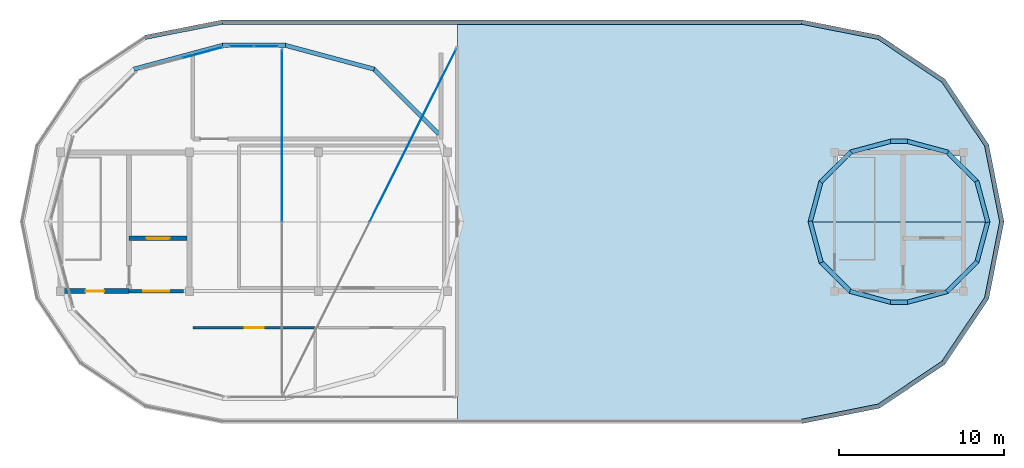
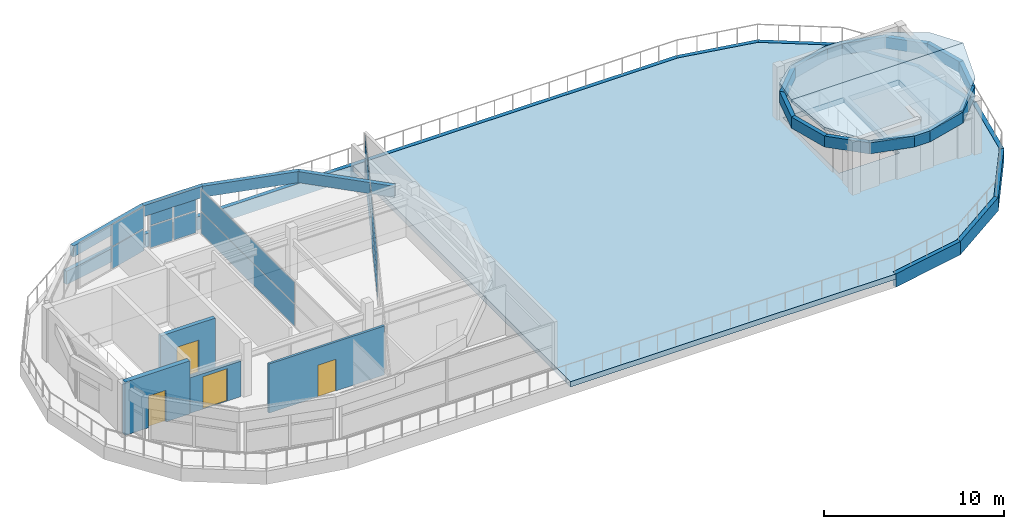
# One storey, part 13 of 15: 38 plates, 4 doors, 4 walls, 3 slabs, 4 openings, 4 elements without a shape of their own.
"""IFC4 building model written with IfcOpenShell, lengths in metres."""

from ifc_helpers import new_model, si_unit, direction, frame, frame_2d, origin, origin_2d, place, context, subcontext, project, spatial, polyline, rectangle, outline, extrude, material, layer, layer_set, type_object, element, fill, aggregate, save


model = new_model("IFC4")

# Units and contexts
model_context = context("Model", 3, precision=1e-05, world=origin(), true_north=direction((0.0, 1.0)))
body_context = subcontext(model_context, "Body", "Model", "MODEL_VIEW")
ifc_project = project(units=[si_unit("LENGTHUNIT", "METRE"), si_unit("AREAUNIT", "SQUARE_METRE"), si_unit("VOLUMEUNIT", "CUBIC_METRE"), si_unit("PLANEANGLEUNIT", "RADIAN"), si_unit("MASSUNIT", "GRAM", prefix="KILO")], contexts=[model_context])

# Site, building, storey
site_placement = place(None, origin())
site = spatial("IfcSite", under=ifc_project, at=site_placement, CompositionType="ELEMENT")
building_placement = place(site_placement, origin())
building = spatial("IfcBuilding", under=site, at=building_placement, Name="Zizhar Promenade General Hospital", CompositionType="ELEMENT")
storey_placement = place(building_placement, frame((0.0, 0.0, 43.199951171875)))
storey = spatial("IfcBuildingStorey", under=building, at=storey_placement, Name="Roof", CompositionType="ELEMENT", Elevation=43.199951171875)

# Curtain wall, plates
ifc_material_1 = material(Name="Anodised aluminium 6063-T6 and low-E glass", Category="aluminium")
ifc_layer_1 = layer(ifc_material_1, 0.159912109375)
ifc_layer_set_1 = layer_set([ifc_layer_1], Name="Anodised aluminium 6063-T6 and low-E glass")
curtain_wall_type = type_object("IfcCurtainWallType", Name="CW-WARD-ARC", PredefinedType="NOTDEFINED", material=ifc_layer_set_1)
curtain_wall_1_placement = place(storey_placement, origin())
curtain_wall_1 = element("IfcCurtainWall", 1, at=curtain_wall_1_placement, inside=storey, type_object=curtain_wall_type, Name="Rooftop Pillow Crown Glazing 02", PredefinedType="NOTDEFINED")
ifc_material_2 = material(Name="Low-E solar-control glass", Category="glass")
ifc_layer_2 = layer(ifc_material_2, 0.031982421875)
ifc_layer_set_2 = layer_set([ifc_layer_2], Name="Low-E solar-control glass")
plate_type_1 = type_object("IfcPlateType", Name="CWP-GLZ-32", PredefinedType="CURTAIN_PANEL", material=ifc_layer_set_2)
plate_1_placement = place(storey_placement, frame((68.107421875, 17.81494140625, 0.06005859375), z_axis=(0.0, 0.0, 1.0), x_axis=(0.447210174098, 0.894428901692, 0.0)))
plate_1 = element("IfcPlate", 2, at=plate_1_placement, type_object=plate_type_1, Name="CW-12 panel 2.1", PredefinedType="CURTAIN_PANEL", context=body_context, shape_type="SweptSolid", body=[
    extrude(rectangle(XDim=11.60107421875, YDim=0.031982421875, at=origin_2d()), origin(), (0.0, 0.0, 1.0), 1.4599609375),
])
plate_2_placement = place(storey_placement, frame((68.107421875, 17.81494140625, 1.580078125), z_axis=(0.0, 0.0, 1.0), x_axis=(0.447210174098, 0.894428901692, 0.0)))
plate_2 = element("IfcPlate", 3, at=plate_2_placement, type_object=plate_type_1, Name="CW-12 panel 2.2", PredefinedType="CURTAIN_PANEL", context=body_context, shape_type="SweptSolid", body=[
    extrude(rectangle(XDim=11.60107421875, YDim=0.031982421875, at=origin_2d()), origin(), (0.0, 0.0, 1.0), 1.4599609375),
])
aggregate(curtain_wall_1, [plate_1, plate_2])

curtain_wall_2_placement = place(storey_placement, origin())
curtain_wall_2 = element("IfcCurtainWall", 4, at=curtain_wall_2_placement, inside=storey, type_object=curtain_wall_type, Name="Rooftop Pillow Crown Glazing 03", PredefinedType="NOTDEFINED")
plate_3_placement = place(storey_placement, frame((60.199951171875, 17.804931640625, 0.06005859375), z_axis=(0.0, 0.0, 1.0), x_axis=(0.0, -1.0, 0.0)))
plate_3 = element("IfcPlate", 5, at=plate_3_placement, type_object=plate_type_1, Name="CW-12 panel 1.1", PredefinedType="CURTAIN_PANEL", context=body_context, shape_type="SweptSolid", body=[
    extrude(rectangle(XDim=10.35009765625, YDim=0.031982421875, at=origin_2d()), origin(), (0.0, 0.0, 1.0), 1.4599609375),
])
plate_4_placement = place(storey_placement, frame((60.199951171875, 17.804931640625, 1.580078125), z_axis=(0.0, 0.0, 1.0), x_axis=(0.0, -1.0, 0.0)))
plate_4 = element("IfcPlate", 6, at=plate_4_placement, type_object=plate_type_1, Name="CW-12 panel 1.2", PredefinedType="CURTAIN_PANEL", context=body_context, shape_type="SweptSolid", body=[
    extrude(rectangle(XDim=10.35009765625, YDim=0.031982421875, at=origin_2d()), origin(), (0.0, 0.0, 1.0), 1.4599609375),
])
aggregate(curtain_wall_2, [plate_3, plate_4])

curtain_wall_3_placement = place(storey_placement, origin())
curtain_wall_3 = element("IfcCurtainWall", 7, at=curtain_wall_3_placement, inside=storey, type_object=curtain_wall_type, Name="Rooftop Pillow Crown Glazing 04", PredefinedType="NOTDEFINED")
plate_5_placement = place(storey_placement, frame((57.7451171875, 23.199951171875, 0.06005859375), z_axis=(0.0, 0.0, 1.0), x_axis=(1.0, 0.0, 0.0)))
plate_5 = element("IfcPlate", 8, at=plate_5_placement, type_object=plate_type_1, Name="CW-12 panel 1.1", PredefinedType="CURTAIN_PANEL", context=body_context, shape_type="SweptSolid", body=[
    extrude(rectangle(XDim=1.449951171875, YDim=0.031982421875, at=origin_2d()), origin(), (0.0, 0.0, 1.0), 1.4599609375),
])
plate_6_placement = place(storey_placement, frame((57.7451171875, 23.199951171875, 1.580078125), z_axis=(0.0, 0.0, 1.0), x_axis=(1.0, 0.0, 0.0)))
plate_6 = element("IfcPlate", 9, at=plate_6_placement, type_object=plate_type_1, Name="CW-12 panel 1.2", PredefinedType="CURTAIN_PANEL", context=body_context, shape_type="SweptSolid", body=[
    extrude(rectangle(XDim=1.449951171875, YDim=0.031982421875, at=origin_2d()), origin(), (0.0, 0.0, 1.0), 1.4599609375),
])
plate_7_placement = place(storey_placement, frame((59.2548828125, 23.199951171875, 0.06005859375), z_axis=(0.0, 0.0, 1.0), x_axis=(1.0, 0.0, 0.0)))
plate_7 = element("IfcPlate", 10, at=plate_7_placement, type_object=plate_type_1, Name="CW-12 panel 2.1", PredefinedType="CURTAIN_PANEL", context=body_context, shape_type="SweptSolid", body=[
    extrude(rectangle(XDim=1.449951171875, YDim=0.031982421875, at=origin_2d()), origin(), (0.0, 0.0, 1.0), 1.4599609375),
])
plate_8_placement = place(storey_placement, frame((59.2548828125, 23.199951171875, 1.580078125), z_axis=(0.0, 0.0, 1.0), x_axis=(1.0, 0.0, 0.0)))
plate_8 = element("IfcPlate", 11, at=plate_8_placement, type_object=plate_type_1, Name="CW-12 panel 2.2", PredefinedType="CURTAIN_PANEL", context=body_context, shape_type="SweptSolid", body=[
    extrude(rectangle(XDim=1.449951171875, YDim=0.031982421875, at=origin_2d()), origin(), (0.0, 0.0, 1.0), 1.4599609375),
])
aggregate(curtain_wall_3, [plate_5, plate_6, plate_7, plate_8])

curtain_wall_4_placement = place(storey_placement, origin())
curtain_wall_4 = element("IfcCurtainWall", 12, at=curtain_wall_4_placement, inside=storey, type_object=curtain_wall_type, Name="Rooftop Pillow Crown Glazing 05", PredefinedType="NOTDEFINED")
plate_9_placement = place(storey_placement, frame((55.38330078125, 22.8203125, 0.06005859375), z_axis=(0.0, 0.0, 1.0), x_axis=(0.965927491601, 0.258812829994, 0.0)))
plate_9 = element("IfcPlate", 13, at=plate_9_placement, type_object=plate_type_1, Name="CW-12 panel 2.1", PredefinedType="CURTAIN_PANEL", context=body_context, shape_type="SweptSolid", body=[
    extrude(rectangle(XDim=2.493408203125, YDim=0.031982421875, at=origin_2d()), origin(), (0.0, 0.0, 1.0), 1.4599609375),
])
plate_10_placement = place(storey_placement, frame((55.38330078125, 22.8203125, 1.580078125), z_axis=(0.0, 0.0, 1.0), x_axis=(0.965927491601, 0.258812829994, 0.0)))
plate_10 = element("IfcPlate", 14, at=plate_10_placement, type_object=plate_type_1, Name="CW-12 panel 2.2", PredefinedType="CURTAIN_PANEL", context=body_context, shape_type="SweptSolid", body=[
    extrude(rectangle(XDim=2.493408203125, YDim=0.031982421875, at=origin_2d()), origin(), (0.0, 0.0, 1.0), 1.4599609375),
])
aggregate(curtain_wall_4, [plate_9, plate_10])

# Plates
ifc_material_3 = material(Name="Precast concrete C40/50", Category="concrete")
ifc_layer_3 = layer(ifc_material_3, 0.260009765625)
ifc_layer_set_3 = layer_set([ifc_layer_3], Name="Precast concrete C40/50")
plate_type_2 = type_object("IfcPlateType", Name="PL-PC-BAND950", PredefinedType="USERDEFINED", material=ifc_layer_set_3)
plate_11_placement = place(storey_placement, frame((0.0, 0.0, -0.89990234375)))
element("IfcPlate", 15, at=plate_11_placement, inside=storey, type_object=plate_type_2, Name="Ward Precast Slab Band Roof-01", ObjectType="FASCIA_BAND", PredefinedType="USERDEFINED", context=body_context, shape_type="SweptSolid", body=[
    extrude(outline(polyline([(91.64990234375, 0.39990234375), (96.318603515625, 1.32861328125), (96.26806640625, 1.583740234375), (91.599365234375, 0.655029296875), (91.64990234375, 0.39990234375)])), origin(), (0.0, 0.0, 1.0), 0.89990234375),
])
plate_12_placement = place(storey_placement, frame((0.0, 0.0, -0.89990234375)))
element("IfcPlate", 16, at=plate_12_placement, inside=storey, type_object=plate_type_2, Name="Ward Precast Slab Band Roof-02", ObjectType="FASCIA_BAND", PredefinedType="USERDEFINED", context=body_context, shape_type="SweptSolid", body=[
    extrude(outline(polyline([(96.318603515625, 1.32861328125), (100.276611328125, 3.973388671875), (100.13232421875, 4.189453125), (96.17431640625, 1.544921875), (96.318603515625, 1.32861328125)])), origin(), (0.0, 0.0, 1.0), 0.89990234375),
])
plate_13_placement = place(storey_placement, frame((0.0, 0.0, -0.89990234375)))
element("IfcPlate", 17, at=plate_13_placement, inside=storey, type_object=plate_type_2, Name="Ward Precast Slab Band Roof-03", ObjectType="FASCIA_BAND", PredefinedType="USERDEFINED", context=body_context, shape_type="SweptSolid", body=[
    extrude(outline(polyline([(100.276611328125, 3.973388671875), (102.92138671875, 7.931396484375), (102.705078125, 8.07568359375), (100.060546875, 4.11767578125), (100.276611328125, 3.973388671875)])), origin(), (0.0, 0.0, 1.0), 0.89990234375),
])
plate_14_placement = place(storey_placement, frame((0.0, 0.0, -0.89990234375)))
element("IfcPlate", 18, at=plate_14_placement, inside=storey, type_object=plate_type_2, Name="Ward Precast Slab Band Roof-04", ObjectType="FASCIA_BAND", PredefinedType="USERDEFINED", context=body_context, shape_type="SweptSolid", body=[
    extrude(outline(polyline([(102.92138671875, 7.931396484375), (103.85009765625, 12.60009765625), (103.594970703125, 12.650634765625), (102.666259765625, 7.98193359375), (102.92138671875, 7.931396484375)])), origin(), (0.0, 0.0, 1.0), 0.89990234375),
])
plate_15_placement = place(storey_placement, frame((0.0, 0.0, -0.89990234375)))
element("IfcPlate", 19, at=plate_15_placement, inside=storey, type_object=plate_type_2, Name="Ward Precast Slab Band Roof-05", ObjectType="FASCIA_BAND", PredefinedType="USERDEFINED", context=body_context, shape_type="SweptSolid", body=[
    extrude(outline(polyline([(103.85009765625, 12.60009765625), (102.92138671875, 17.268798828125), (102.666259765625, 17.218017578125), (103.594970703125, 12.54931640625), (103.85009765625, 12.60009765625)])), origin(), (0.0, 0.0, 1.0), 0.89990234375),
])
plate_16_placement = place(storey_placement, frame((0.0, 0.0, -0.89990234375)))
element("IfcPlate", 20, at=plate_16_placement, inside=storey, type_object=plate_type_2, Name="Ward Precast Slab Band Roof-06", ObjectType="FASCIA_BAND", PredefinedType="USERDEFINED", context=body_context, shape_type="SweptSolid", body=[
    extrude(outline(polyline([(102.92138671875, 17.268798828125), (100.276611328125, 21.226806640625), (100.060546875, 21.082275390625), (102.705078125, 17.124267578125), (102.92138671875, 17.268798828125)])), origin(), (0.0, 0.0, 1.0), 0.89990234375),
])
plate_17_placement = place(storey_placement, frame((0.0, 0.0, -0.89990234375)))
element("IfcPlate", 21, at=plate_17_placement, inside=storey, type_object=plate_type_2, Name="Ward Precast Slab Band Roof-07", ObjectType="FASCIA_BAND", PredefinedType="USERDEFINED", context=body_context, shape_type="SweptSolid", body=[
    extrude(outline(polyline([(100.276611328125, 21.226806640625), (96.318603515625, 23.871337890625), (96.17431640625, 23.655029296875), (100.13232421875, 21.010498046875), (100.276611328125, 21.226806640625)])), origin(), (0.0, 0.0, 1.0), 0.89990234375),
])
plate_18_placement = place(storey_placement, frame((0.0, 0.0, -0.89990234375)))
element("IfcPlate", 22, at=plate_18_placement, inside=storey, type_object=plate_type_2, Name="Ward Precast Slab Band Roof-08", ObjectType="FASCIA_BAND", PredefinedType="USERDEFINED", context=body_context, shape_type="SweptSolid", body=[
    extrude(outline(polyline([(96.318603515625, 23.871337890625), (91.64990234375, 24.800048828125), (91.599365234375, 24.544921875), (96.26806640625, 23.6162109375), (96.318603515625, 23.871337890625)])), origin(), (0.0, 0.0, 1.0), 0.89990234375),
])
plate_19_placement = place(storey_placement, frame((0.0, 0.0, -0.89990234375)))
element("IfcPlate", 23, at=plate_19_placement, inside=storey, type_object=plate_type_2, Name="Ward Precast Slab Band Roof-09", ObjectType="FASCIA_BAND", PredefinedType="USERDEFINED", context=body_context, shape_type="SweptSolid", body=[
    extrude(outline(polyline([(91.64990234375, 24.800048828125), (56.550048828125, 24.800048828125), (56.550048828125, 24.5400390625), (91.64990234375, 24.5400390625), (91.64990234375, 24.800048828125)])), origin(), (0.0, 0.0, 1.0), 0.89990234375),
])
plate_20_placement = place(storey_placement, frame((0.0, 0.0, -0.89990234375)))
element("IfcPlate", 24, at=plate_20_placement, inside=storey, type_object=plate_type_2, Name="Ward Precast Slab Band Roof-10", ObjectType="FASCIA_BAND", PredefinedType="USERDEFINED", context=body_context, shape_type="SweptSolid", body=[
    extrude(outline(polyline([(56.550048828125, 24.800048828125), (51.88134765625, 23.871337890625), (51.931884765625, 23.6162109375), (56.6005859375, 24.544921875), (56.550048828125, 24.800048828125)])), origin(), (0.0, 0.0, 1.0), 0.89990234375),
])
plate_21_placement = place(storey_placement, frame((0.0, 0.0, 2.35009765625)))
element("IfcPlate", 25, at=plate_21_placement, inside=storey, type_object=plate_type_2, Name="Rooftop CrownW Fascia Band 05", ObjectType="FASCIA_BAND", PredefinedType="USERDEFINED", context=body_context, shape_type="SweptSolid", body=[
    extrude(outline(polyline([(69.753173828125, 18.0), (65.800048828125, 21.953125), (65.6162109375, 21.769287109375), (69.5693359375, 17.816162109375), (69.753173828125, 18.0)])), origin(), (0.0, 0.0, 1.0), 0.75),
])
plate_22_placement = place(storey_placement, frame((0.0, 0.0, 2.35009765625)))
element("IfcPlate", 26, at=plate_22_placement, inside=storey, type_object=plate_type_2, Name="Rooftop CrownW Fascia Band 06", ObjectType="FASCIA_BAND", PredefinedType="USERDEFINED", context=body_context, shape_type="SweptSolid", body=[
    extrude(outline(polyline([(65.800048828125, 21.953125), (60.39990234375, 23.39990234375), (60.332763671875, 23.14892578125), (65.732666015625, 21.701904296875), (65.800048828125, 21.953125)])), origin(), (0.0, 0.0, 1.0), 0.75),
])
plate_23_placement = place(storey_placement, frame((0.0, 0.0, 2.35009765625)))
element("IfcPlate", 27, at=plate_23_placement, inside=storey, type_object=plate_type_2, Name="Rooftop CrownW Fascia Band 07", ObjectType="FASCIA_BAND", PredefinedType="USERDEFINED", context=body_context, shape_type="SweptSolid", body=[
    extrude(outline(polyline([(60.39990234375, 23.39990234375), (56.60009765625, 23.39990234375), (56.60009765625, 23.139892578125), (60.39990234375, 23.139892578125), (60.39990234375, 23.39990234375)])), origin(), (0.0, 0.0, 1.0), 0.75),
])
plate_24_placement = place(storey_placement, frame((0.0, 0.0, 2.35009765625)))
element("IfcPlate", 28, at=plate_24_placement, inside=storey, type_object=plate_type_2, Name="Rooftop CrownW Fascia Band 08", ObjectType="FASCIA_BAND", PredefinedType="USERDEFINED", context=body_context, shape_type="SweptSolid", body=[
    extrude(outline(polyline([(56.60009765625, 23.39990234375), (51.199951171875, 21.953125), (51.267333984375, 21.701904296875), (56.667236328125, 23.14892578125), (56.60009765625, 23.39990234375)])), origin(), (0.0, 0.0, 1.0), 0.75),
])
plate_25_placement = place(storey_placement, frame((0.0, 0.0, 2.35009765625)))
element("IfcPlate", 29, at=plate_25_placement, inside=storey, type_object=plate_type_2, Name="Rooftop CrownE Fascia Band 01", ObjectType="FASCIA_BAND", PredefinedType="USERDEFINED", context=body_context, shape_type="SweptSolid", body=[
    extrude(outline(polyline([(98.0, 7.60009765625), (100.5, 8.27001953125), (100.4326171875, 8.52099609375), (97.9326171875, 7.85107421875), (98.0, 7.60009765625)])), origin(), (0.0, 0.0, 1.0), 0.75),
])
plate_26_placement = place(storey_placement, frame((0.0, 0.0, 2.35009765625)))
element("IfcPlate", 30, at=plate_26_placement, inside=storey, type_object=plate_type_2, Name="Rooftop CrownE Fascia Band 02", ObjectType="FASCIA_BAND", PredefinedType="USERDEFINED", context=body_context, shape_type="SweptSolid", body=[
    extrude(outline(polyline([(100.5, 8.27001953125), (102.330078125, 10.10009765625), (102.146240234375, 10.28369140625), (100.316162109375, 8.45361328125), (100.5, 8.27001953125)])), origin(), (0.0, 0.0, 1.0), 0.75),
])
plate_27_placement = place(storey_placement, frame((0.0, 0.0, 2.35009765625)))
element("IfcPlate", 31, at=plate_27_placement, inside=storey, type_object=plate_type_2, Name="Rooftop CrownE Fascia Band 03", ObjectType="FASCIA_BAND", PredefinedType="USERDEFINED", context=body_context, shape_type="SweptSolid", body=[
    extrude(outline(polyline([(102.330078125, 10.10009765625), (103.0, 12.60009765625), (102.748779296875, 12.667236328125), (102.0791015625, 10.167236328125), (102.330078125, 10.10009765625)])), origin(), (0.0, 0.0, 1.0), 0.75),
])
plate_28_placement = place(storey_placement, frame((0.0, 0.0, 2.35009765625)))
element("IfcPlate", 32, at=plate_28_placement, inside=storey, type_object=plate_type_2, Name="Rooftop CrownE Fascia Band 04", ObjectType="FASCIA_BAND", PredefinedType="USERDEFINED", context=body_context, shape_type="SweptSolid", body=[
    extrude(outline(polyline([(103.0, 12.60009765625), (102.330078125, 15.10009765625), (102.0791015625, 15.03271484375), (102.748779296875, 12.53271484375), (103.0, 12.60009765625)])), origin(), (0.0, 0.0, 1.0), 0.75),
])
plate_29_placement = place(storey_placement, frame((0.0, 0.0, 2.35009765625)))
element("IfcPlate", 33, at=plate_29_placement, inside=storey, type_object=plate_type_2, Name="Rooftop CrownE Fascia Band 05", ObjectType="FASCIA_BAND", PredefinedType="USERDEFINED", context=body_context, shape_type="SweptSolid", body=[
    extrude(outline(polyline([(102.330078125, 15.10009765625), (100.5, 16.93017578125), (100.316162109375, 16.746337890625), (102.146240234375, 14.916259765625), (102.330078125, 15.10009765625)])), origin(), (0.0, 0.0, 1.0), 0.75),
])
plate_30_placement = place(storey_placement, frame((0.0, 0.0, 2.35009765625)))
element("IfcPlate", 34, at=plate_30_placement, inside=storey, type_object=plate_type_2, Name="Rooftop CrownE Fascia Band 06", ObjectType="FASCIA_BAND", PredefinedType="USERDEFINED", context=body_context, shape_type="SweptSolid", body=[
    extrude(outline(polyline([(100.5, 16.93017578125), (98.0, 17.60009765625), (97.9326171875, 17.348876953125), (100.4326171875, 16.678955078125), (100.5, 16.93017578125)])), origin(), (0.0, 0.0, 1.0), 0.75),
])
plate_31_placement = place(storey_placement, frame((0.0, 0.0, 2.35009765625)))
element("IfcPlate", 35, at=plate_31_placement, inside=storey, type_object=plate_type_2, Name="Rooftop CrownE Fascia Band 07", ObjectType="FASCIA_BAND", PredefinedType="USERDEFINED", context=body_context, shape_type="SweptSolid", body=[
    extrude(outline(polyline([(98.0, 17.60009765625), (97.0, 17.60009765625), (97.0, 17.340087890625), (98.0, 17.340087890625), (98.0, 17.60009765625)])), origin(), (0.0, 0.0, 1.0), 0.75),
])
plate_32_placement = place(storey_placement, frame((0.0, 0.0, 2.35009765625)))
element("IfcPlate", 36, at=plate_32_placement, inside=storey, type_object=plate_type_2, Name="Rooftop CrownE Fascia Band 08", ObjectType="FASCIA_BAND", PredefinedType="USERDEFINED", context=body_context, shape_type="SweptSolid", body=[
    extrude(outline(polyline([(97.0, 17.60009765625), (94.5, 16.93017578125), (94.5673828125, 16.678955078125), (97.0673828125, 17.348876953125), (97.0, 17.60009765625)])), origin(), (0.0, 0.0, 1.0), 0.75),
])
plate_33_placement = place(storey_placement, frame((0.0, 0.0, 2.35009765625)))
element("IfcPlate", 37, at=plate_33_placement, inside=storey, type_object=plate_type_2, Name="Rooftop CrownE Fascia Band 09", ObjectType="FASCIA_BAND", PredefinedType="USERDEFINED", context=body_context, shape_type="SweptSolid", body=[
    extrude(outline(polyline([(94.5, 16.93017578125), (92.669921875, 15.10009765625), (92.853759765625, 14.916259765625), (94.683837890625, 16.746337890625), (94.5, 16.93017578125)])), origin(), (0.0, 0.0, 1.0), 0.75),
])
plate_34_placement = place(storey_placement, frame((0.0, 0.0, 2.35009765625)))
element("IfcPlate", 38, at=plate_34_placement, inside=storey, type_object=plate_type_2, Name="Rooftop CrownE Fascia Band 10", ObjectType="FASCIA_BAND", PredefinedType="USERDEFINED", context=body_context, shape_type="SweptSolid", body=[
    extrude(outline(polyline([(92.669921875, 15.10009765625), (92.0, 12.60009765625), (92.251220703125, 12.53271484375), (92.9208984375, 15.03271484375), (92.669921875, 15.10009765625)])), origin(), (0.0, 0.0, 1.0), 0.75),
])
plate_35_placement = place(storey_placement, frame((0.0, 0.0, 2.35009765625)))
element("IfcPlate", 39, at=plate_35_placement, inside=storey, type_object=plate_type_2, Name="Rooftop CrownE Fascia Band 11", ObjectType="FASCIA_BAND", PredefinedType="USERDEFINED", context=body_context, shape_type="SweptSolid", body=[
    extrude(outline(polyline([(92.0, 12.60009765625), (92.669921875, 10.10009765625), (92.9208984375, 10.167236328125), (92.251220703125, 12.667236328125), (92.0, 12.60009765625)])), origin(), (0.0, 0.0, 1.0), 0.75),
])
plate_36_placement = place(storey_placement, frame((0.0, 0.0, 2.35009765625)))
element("IfcPlate", 40, at=plate_36_placement, inside=storey, type_object=plate_type_2, Name="Rooftop CrownE Fascia Band 12", ObjectType="FASCIA_BAND", PredefinedType="USERDEFINED", context=body_context, shape_type="SweptSolid", body=[
    extrude(outline(polyline([(92.669921875, 10.10009765625), (94.5, 8.27001953125), (94.683837890625, 8.45361328125), (92.853759765625, 10.28369140625), (92.669921875, 10.10009765625)])), origin(), (0.0, 0.0, 1.0), 0.75),
])
plate_37_placement = place(storey_placement, frame((0.0, 0.0, 2.35009765625)))
element("IfcPlate", 41, at=plate_37_placement, inside=storey, type_object=plate_type_2, Name="Rooftop CrownE Fascia Band 13", ObjectType="FASCIA_BAND", PredefinedType="USERDEFINED", context=body_context, shape_type="SweptSolid", body=[
    extrude(outline(polyline([(94.5, 8.27001953125), (97.0, 7.60009765625), (97.0673828125, 7.85107421875), (94.5673828125, 8.52099609375), (94.5, 8.27001953125)])), origin(), (0.0, 0.0, 1.0), 0.75),
])
plate_38_placement = place(storey_placement, frame((0.0, 0.0, 2.35009765625)))
element("IfcPlate", 42, at=plate_38_placement, inside=storey, type_object=plate_type_2, Name="Rooftop CrownE Fascia Band 14", ObjectType="FASCIA_BAND", PredefinedType="USERDEFINED", context=body_context, shape_type="SweptSolid", body=[
    extrude(outline(polyline([(97.0, 7.60009765625), (98.0, 7.60009765625), (98.0, 7.860107421875), (97.0, 7.860107421875), (97.0, 7.60009765625)])), origin(), (0.0, 0.0, 1.0), 0.75),
])

# Slabs
ifc_material_4 = material(Name="Concrete C40/50", Category="concrete")
ifc_layer_4 = layer(ifc_material_4, 0.360107421875)
ifc_layer_set_4 = layer_set([ifc_layer_4], Name="Concrete C40/50")
slab_type_1 = type_object("IfcSlabType", Name="SLB-HELI-360", PredefinedType="ROOF", material=ifc_layer_set_4)
slab_1_placement = place(storey_placement, frame((0.0, 0.0, -0.35986328125)))
element("IfcSlab", 43, at=slab_1_placement, inside=storey, type_object=slab_type_1, Name="Rooftop Emergency Helipad and East Deck Slab", PredefinedType="ROOF", context=body_context, shape_type="SweptSolid", body=[
    extrude(outline(polyline([(70.800048828125, 24.800048828125), (70.800048828125, 0.39990234375), (91.64990234375, 0.39990234375), (96.318603515625, 1.32861328125), (100.276611328125, 3.973388671875), (102.92138671875, 7.931396484375), (103.85009765625, 12.60009765625), (102.92138671875, 17.268798828125), (100.276611328125, 21.226806640625), (96.318603515625, 23.871337890625), (91.64990234375, 24.800048828125), (70.800048828125, 24.800048828125)]), holes=[polyline([(93.780029296875, 10.429931640625), (93.780029296875, 16.6201171875), (97.679931640625, 16.6201171875), (97.679931640625, 10.429931640625), (93.780029296875, 10.429931640625)]), polyline([(97.949951171875, 11.6201171875), (97.949951171875, 16.580078125), (101.179931640625, 16.580078125), (101.179931640625, 11.6201171875), (97.949951171875, 11.6201171875)])]), origin(), (0.0, 0.0, 1.0), 0.35986328125),
])
ifc_material_5 = material(Name="Concrete C35/45", Category="concrete")
ifc_layer_5 = layer(ifc_material_5, 0.199951171875)
ifc_layer_set_5 = layer_set([ifc_layer_5], Name="Concrete C35/45")
slab_type_2 = type_object("IfcSlabType", Name="SLB-SAW-200", PredefinedType="ROOF", material=ifc_layer_set_5)
slab_2_placement = place(storey_placement, frame((102.330078125, 10.10009765625, 3.68994140625), z_axis=(0.0, -0.229696800031, 0.973262236016), x_axis=(-0.697462604265, -0.697460332041, -0.164605591885)))
element("IfcSlab", 44, at=slab_2_placement, inside=storey, type_object=slab_type_2, Name="East Core C5 Vaulted Crown Shell (S)", PredefinedType="ROOF", context=body_context, shape_type="SweptSolid", body=[
    extrude(outline(polyline([(0.0, 0.0), (2.623908599267943, -2.7755575615628914e-17), (4.8608099754275855, -1.3114947853959629), (5.558272579693062, -2.0281159654145404), (6.808684224860807, -4.299727080111465), (6.737597735736427, -6.922672571038835), (5.364060594724148, -9.194322798267091), (-2.3080280521961027, -1.3114898180627412), (0.0, 0.0)])), origin(), (0.0, 0.0, -1.0), 0.199951171875),
])
slab_3_placement = place(storey_placement, frame((92.669921875, 15.10009765625, 3.68994140625), z_axis=(0.0, 0.229702212256, 0.973260958677), x_axis=(0.697507867582, 0.697416538685, -0.164599350638)))
element("IfcSlab", 45, at=slab_3_placement, inside=storey, type_object=slab_type_2, Name="East Core C5 Vaulted Crown Shell (N)", PredefinedType="ROOF", context=body_context, shape_type="SweptSolid", body=[
    extrude(outline(polyline([(0.0, 0.0), (2.6237383261997342, 1.6653345369377348e-16), (4.860892804370993, -1.3111877549417992), (5.55840067195271, -2.0277648789567975), (6.808785531690037, -4.299462744089989), (6.738034986443696, -6.92224698316051), (5.364641334592948, -9.193983964284973), (-2.307945208805939, -1.3116356001199936), (0.0, 0.0)])), origin(), (0.0, 0.0, -1.0), 0.199951171875),
])

# Wall, opening, door
ifc_material_6 = material(Name="Clinical consultation partition")
ifc_layer_6 = layer(ifc_material_6, 0.14501953125)
ifc_layer_set_6 = layer_set([ifc_layer_6], Name="Clinical consultation partition")
wall_type_1 = type_object("IfcWallType", Name="IW-CLN-145", PredefinedType="PARTITIONING", material=ifc_layer_set_6)
wall_1_placement = place(storey_placement, frame((54.800048828125, 6.199951171875, 0.0), z_axis=(0.0, 0.0, 1.0), x_axis=(1.0, 0.0, 0.0)))
wall_1 = element("IfcWall", 46, at=wall_1_placement, inside=storey, type_object=wall_type_1, Name="Helipad Aviation Dispatch and Telemetry Clinic N Partition", PredefinedType="PARTITIONING", context=body_context, shape_type="SweptSolid", body=[
    extrude(rectangle(XDim=7.39990234375, YDim=0.14501953125, at=frame_2d((3.699951171875, 0.0))), origin(), (0.0, 0.0, 1.0), 3.320068359375),
])
opening_1_placement = place(wall_1_placement, frame((3.125, 0.0, 0.0)))
opening_1 = element("IfcOpeningElement", 47, at=opening_1_placement, cuts=wall_1, Name="Opening D-15", PredefinedType="OPENING", context=body_context, shape_type="SweptSolid", body=[
    extrude(rectangle(XDim=1.14990234375, YDim=2.14990234375, at=frame_2d((0.574951171875, 1.074951171875))), frame((0.0, 0.08251953125, 0.0), z_axis=(0.0, -1.0, 0.0), x_axis=(1.0, 0.0, 0.0)), (0.0, 0.0, 1.0), 0.1650390625),
])
ifc_material_7 = material(Name="Fire-rated timber treatment leaf", Category="wood")
door_type_1 = type_object("IfcDoorType", Name="DR-CLN-TREAT-115x215", OperationType="NOTDEFINED", PredefinedType="DOOR", material=ifc_material_7)
door_1_placement = place(opening_1_placement, origin())
door_1 = element("IfcDoor", 48, at=door_1_placement, inside=storey, type_object=door_type_1, Name="Helipad Aviation Dispatch and Telemetry Clinic Door", OperationType="SINGLE_SWING_RIGHT", OverallHeight=2.14990234375, OverallWidth=1.14990234375, PredefinedType="DOOR", context=body_context, shape_type="SweptSolid", body=[
    extrude(rectangle(XDim=1.14990234375, YDim=2.14990234375, at=frame_2d((0.574951171875, 1.074951171875))), frame((0.0, 0.02490234375, 0.0), z_axis=(0.0, -1.0, 0.0), x_axis=(1.0, 0.0, 0.0)), (0.0, 0.0, 1.0), 0.050048828125),
])
fill(opening_1, door_1)

ifc_material_8 = material(Name="Concrete C35/45", Category="concrete")
ifc_layer_7 = layer(ifc_material_8, 0.215087890625)
ifc_layer_set_7 = layer_set([ifc_layer_7], Name="Concrete C35/45")
wall_type_2 = type_object("IfcWallType", Name="IW-LOBBY-215", PredefinedType="STANDARD", material=ifc_layer_set_7)
wall_2_placement = place(storey_placement, frame((50.949951171875, 8.39990234375, 0.0), z_axis=(0.0, 0.0, 1.0), x_axis=(1.0, 0.0, 0.0)))
wall_2 = element("IfcWall", 49, at=wall_2_placement, inside=storey, type_object=wall_type_2, Name="Core C2 Lift Lobby South Fire Wall (Roof)", PredefinedType="STANDARD", context=body_context, shape_type="SweptSolid", body=[
    extrude(rectangle(XDim=3.2900390625, YDim=0.215087890625, at=frame_2d((1.64501953125, 0.0))), origin(), (0.0, 0.0, 1.0), 2.405029296875),
])
opening_2_placement = place(wall_2_placement, frame((0.864990234375, 0.0, 0.0)))
opening_2 = element("IfcOpeningElement", 50, at=opening_2_placement, cuts=wall_2, Name="Opening D-22", PredefinedType="OPENING", context=body_context, shape_type="SweptSolid", body=[
    extrude(rectangle(XDim=1.56005859375, YDim=2.199951171875, at=frame_2d((0.780029296875, 1.10009765625))), frame((0.0, 0.11767578125, 0.0), z_axis=(0.0, -1.0, 0.0), x_axis=(1.0, 0.0, 0.0)), (0.0, 0.0, 1.0), 0.235107421875),
])
ifc_material_9 = material(Name="Steel S355 firefighting lobby pair", Category="steel")
door_type_2 = type_object("IfcDoorType", Name="DR-LOBBY-FF-156x220", OperationType="DOUBLE_DOOR_SINGLE_SWING", PredefinedType="DOOR", material=ifc_material_9)
door_2_placement = place(opening_2_placement, origin())
door_2 = element("IfcDoor", 51, at=door_2_placement, inside=storey, type_object=door_type_2, Name="Core C2 Firefighting Lift Lobby Door (Roof)", OperationType="DOUBLE_DOOR_SINGLE_SWING", OverallHeight=2.199951171875, OverallWidth=1.56005859375, PredefinedType="DOOR", context=body_context, shape_type="SweptSolid", body=[
    extrude(rectangle(XDim=1.56005859375, YDim=2.199951171875, at=frame_2d((0.780029296875, 1.10009765625))), frame((0.0, 0.02490234375, 0.0), z_axis=(0.0, -1.0, 0.0), x_axis=(1.0, 0.0, 0.0)), (0.0, 0.0, 1.0), 0.050048828125),
])
fill(opening_2, door_2)

ifc_material_10 = material(Name="Concrete C35/45", Category="concrete")
ifc_layer_8 = layer(ifc_material_10, 0.25)
ifc_layer_set_8 = layer_set([ifc_layer_8], Name="Concrete C35/45")
wall_type_3 = type_object("IfcWallType", Name="IW-SHAFT-250", PredefinedType="STANDARD", material=ifc_layer_set_8)
wall_3_placement = place(storey_placement, frame((50.949951171875, 11.60009765625, 0.0), z_axis=(0.0, 0.0, 1.0), x_axis=(1.0, 0.0, 0.0)))
wall_3 = element("IfcWall", 52, at=wall_3_placement, inside=storey, type_object=wall_type_3, Name="Core C2 Lift Shaft Landing Wall (Roof)", PredefinedType="STANDARD", context=body_context, shape_type="SweptSolid", body=[
    extrude(rectangle(XDim=3.5, YDim=0.25, at=frame_2d((1.75, 0.0))), origin(), (0.0, 0.0, 1.0), 3.320068359375),
])
opening_3_placement = place(wall_3_placement, frame((1.050048828125, 0.0, 0.0)))
opening_3 = element("IfcOpeningElement", 53, at=opening_3_placement, cuts=wall_3, Name="Opening LD-14", PredefinedType="OPENING", context=body_context, shape_type="SweptSolid", body=[
    extrude(rectangle(XDim=1.39990234375, YDim=2.199951171875, at=frame_2d((0.699951171875, 1.10009765625))), frame((0.0, 0.135009765625, 0.0), z_axis=(0.0, -1.0, 0.0), x_axis=(1.0, 0.0, 0.0)), (0.0, 0.0, 1.0), 0.27001953125),
])
ifc_material_11 = material(Name="Stainless Steel S355 hospital lift landing door", Category="steel")
door_type_3 = type_object("IfcDoorType", Name="DR-LIFT-LD14", OperationType="SLIDING_TO_LEFT", PredefinedType="DOOR", material=ifc_material_11)
door_3_placement = place(opening_3_placement, origin())
door_3 = element("IfcDoor", 54, at=door_3_placement, inside=storey, type_object=door_type_3, Name="Lift LF-01 Sliding Landing Door (Roof)", OperationType="SLIDING_TO_LEFT", OverallHeight=2.199951171875, OverallWidth=1.39990234375, PredefinedType="DOOR", context=body_context, shape_type="SweptSolid", body=[
    extrude(rectangle(XDim=1.39990234375, YDim=2.199951171875, at=frame_2d((0.699951171875, 1.10009765625))), frame((0.0, 0.02490234375, 0.0), z_axis=(0.0, -1.0, 0.0), x_axis=(1.0, 0.0, 0.0)), (0.0, 0.0, 1.0), 0.050048828125),
])
fill(opening_3, door_3)

ifc_material_12 = material(Name="Concrete C40/50", Category="concrete")
ifc_layer_9 = layer(ifc_material_12, 0.300048828125)
ifc_layer_set_9 = layer_set([ifc_layer_9], Name="Concrete C40/50")
wall_type_4 = type_object("IfcWallType", Name="WL-CORE-300", PredefinedType="SHEAR", material=ifc_layer_set_9)
wall_4_placement = place(storey_placement, frame((46.800048828125, 8.39990234375, 0.0), z_axis=(0.0, 0.0, 1.0), x_axis=(1.0, 0.0, 0.0)))
wall_4 = element("IfcWall", 55, at=wall_4_placement, inside=storey, type_object=wall_type_4, Name="Core C2 Stair South Fire Wall (Roof)", PredefinedType="SHEAR", context=body_context, shape_type="SweptSolid", body=[
    extrude(rectangle(XDim=4.14990234375, YDim=0.300048828125, at=frame_2d((2.074951171875, 0.0))), origin(), (0.0, 0.0, 1.0), 3.60009765625),
])
opening_4_placement = place(wall_4_placement, frame((1.514892578125, 0.0, 0.0)))
opening_4 = element("IfcOpeningElement", 56, at=opening_4_placement, cuts=wall_4, Name="Opening D-21", PredefinedType="OPENING", context=body_context, shape_type="SweptSolid", body=[
    extrude(rectangle(XDim=1.1201171875, YDim=2.14990234375, at=frame_2d((0.56005859375, 1.074951171875))), frame((0.0, 0.16015625, 0.0), z_axis=(0.0, -1.0, 0.0), x_axis=(1.0, 0.0, 0.0)), (0.0, 0.0, 1.0), 0.320068359375),
])
ifc_material_13 = material(Name="Steel S355 protected stair door", Category="steel")
door_type_4 = type_object("IfcDoorType", Name="DR-STAIR-112x215", OperationType="NOTDEFINED", PredefinedType="DOOR", material=ifc_material_13)
door_4_placement = place(opening_4_placement, origin())
door_4 = element("IfcDoor", 57, at=door_4_placement, inside=storey, type_object=door_type_4, Name="Exit Stair ST-02 Door (Roof)", OperationType="SINGLE_SWING_LEFT", OverallHeight=2.14990234375, OverallWidth=1.1201171875, PredefinedType="DOOR", context=body_context, shape_type="SweptSolid", body=[
    extrude(rectangle(XDim=1.1201171875, YDim=2.14990234375, at=frame_2d((0.56005859375, 1.074951171875))), frame((0.0, 0.02490234375, 0.0), z_axis=(0.0, -1.0, 0.0), x_axis=(1.0, 0.0, 0.0)), (0.0, 0.0, 1.0), 0.050048828125),
])
fill(opening_4, door_4)

save(model, "model.ifc")
